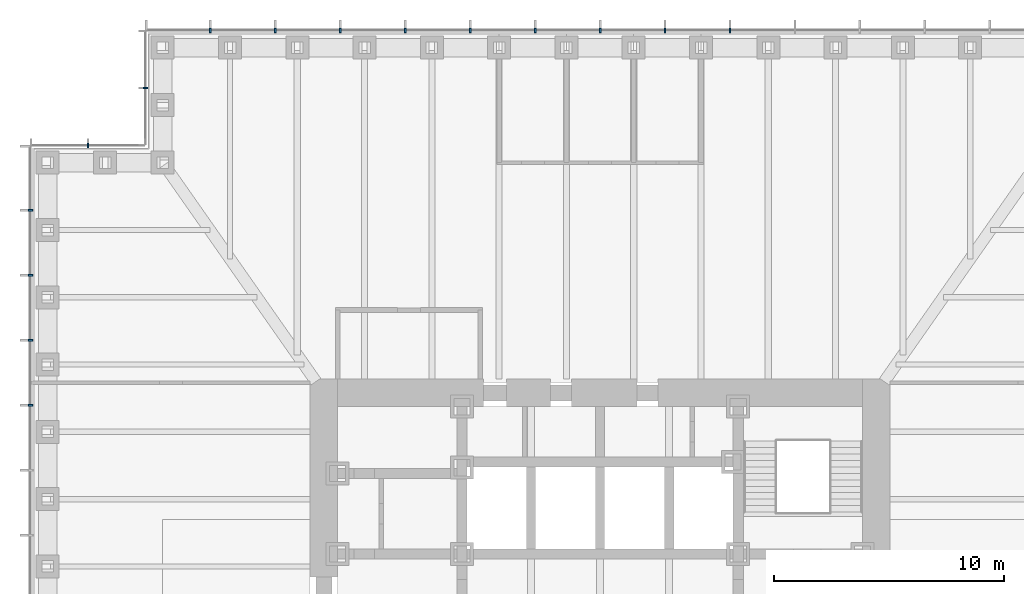
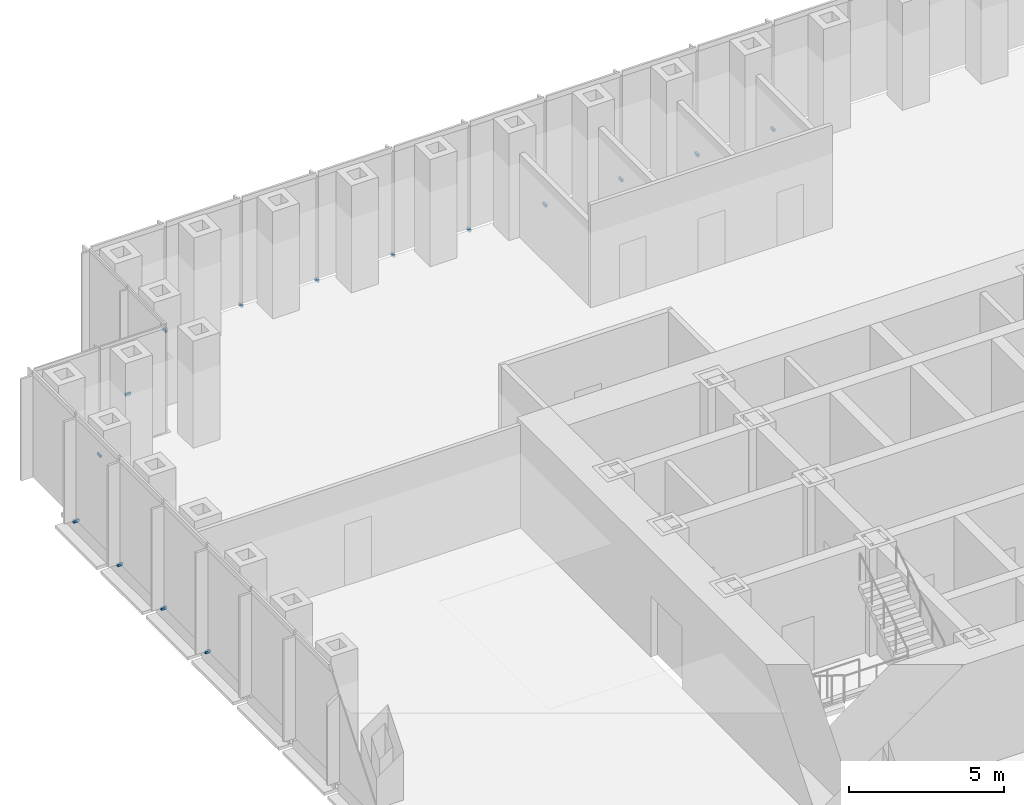
# One storey, part 14 of 16: 15 discrete accessories.
"""IFC4 building model written with IfcOpenShell, lengths in metres."""

import ifcopenshell
import ifcopenshell.guid

model = None  # the IFC model being written
_history = None  # IfcOwnerHistory: only IFC2X3 demands one
_inside = {}  # id of a spatial element -> (the spatial element, [elements in it])
_under = {}  # id of a project, library or spatial element -> (it, [spatial elements below it])
_declared = {}  # id of a project -> (the project, [libraries it declares])
_typed = {}  # id of a type object -> (the type object, [elements of that type])
_made_of = {}  # id of a material, layer set ... -> (it, [elements and type objects made of it])


def new_model(schema):
    """Start an empty IFC model of exactly this schema.

    Asked for "IFC4X3", IfcOpenShell would pick the latest addendum, in which some entities
    have other attributes; the version numbers below select the first issue.
    IFC2X3 requires an IfcOwnerHistory on every rooted entity: one is made here for all.
    """
    global model, _history
    if schema == "IFC4X3":
        model = ifcopenshell.file(schema_version=(4, 3, 0, 0))
    else:
        model = ifcopenshell.file(schema=schema)
    _inside.clear()
    _under.clear()
    _declared.clear()
    _typed.clear()
    _made_of.clear()
    _history = None
    if model.schema == "IFC2X3":
        org = make("IfcOrganization", Name="unknown")
        user = make(
            "IfcPersonAndOrganization",
            ThePerson=make("IfcPerson", FamilyName="unknown"),
            TheOrganization=org,
        )
        app = make(
            "IfcApplication",
            ApplicationDeveloper=org,
            Version="unknown",
            ApplicationFullName="unknown",
            ApplicationIdentifier="unknown",
        )
        _history = make(
            "IfcOwnerHistory",
            OwningUser=user,
            OwningApplication=app,
            ChangeAction="ADDED",
            CreationDate=0,
        )
    return model


def make(cls, **values):
    """One entity of the class cls with the attributes given. An attribute that is None is left unset."""
    return model.create_entity(
        cls, **{name: value for name, value in values.items() if value is not None}
    )


def rooted(cls, **values):
    """An entity with a GlobalId (a new one), such as an element, a storey or a relation."""
    return make(cls, GlobalId=ifcopenshell.guid.new(), OwnerHistory=_history, **values)


def si_unit(unit_type, name, prefix=None):
    """IfcSIUnit, for example si_unit("LENGTHUNIT", "METRE", prefix="MILLI")."""
    return make("IfcSIUnit", UnitType=unit_type, Prefix=prefix, Name=name)


def assignment(units):
    """IfcUnitAssignment: the units of a project."""
    return None if units is None else make("IfcUnitAssignment", Units=units)


def point(xyz):
    """IfcCartesianPoint."""
    return None if xyz is None else make("IfcCartesianPoint", Coordinates=xyz)


def direction(xyz):
    """IfcDirection."""
    return None if xyz is None else make("IfcDirection", DirectionRatios=xyz)


def frame(location, z_axis=None, x_axis=None):
    """IfcAxis2Placement3D, a coordinate frame: its origin and axes. An axis left out is left unset."""
    return make(
        "IfcAxis2Placement3D",
        Location=point(location),
        Axis=direction(z_axis),
        RefDirection=direction(x_axis),
    )


def frame_2d(location, x_axis=None):
    """IfcAxis2Placement2D, a coordinate frame in the plane: its origin and x axis."""
    return make(
        "IfcAxis2Placement2D", Location=point(location), RefDirection=direction(x_axis)
    )


def origin():
    """The frame at (0, 0, 0) with its axes left unset."""
    return frame((0.0, 0.0, 0.0))


def origin_2d():
    """The frame at (0, 0) in the plane with its x axis left unset."""
    return frame_2d((0.0, 0.0))


def place(relative_to, where):
    """IfcLocalPlacement: puts the frame where relative to a parent placement (None: the world)."""
    return make(
        "IfcLocalPlacement", PlacementRelTo=relative_to, RelativePlacement=where
    )


def context(
    kind, dimensions, precision=None, world=None, true_north=None, identifier=None
):
    """IfcGeometricRepresentationContext, for example the 3D "Model" context."""
    return make(
        "IfcGeometricRepresentationContext",
        ContextIdentifier=identifier,
        ContextType=kind,
        CoordinateSpaceDimension=dimensions,
        Precision=precision,
        WorldCoordinateSystem=world,
        TrueNorth=true_north,
    )


def subcontext(parent, identifier, kind, view, scale=None):
    """IfcGeometricRepresentationSubContext, for example "Body" below "Model"."""
    return make(
        "IfcGeometricRepresentationSubContext",
        ContextIdentifier=identifier,
        ContextType=kind,
        ParentContext=parent,
        TargetScale=scale,
        TargetView=view,
    )


def project(units=None, contexts=None):
    """IfcProject with its units and contexts."""
    return rooted(
        "IfcProject",
        Name="project",
        RepresentationContexts=contexts,
        UnitsInContext=assignment(units),
    )


def spatial(cls, under=None, at=None, **own):
    """A site, building, storey or space (cls), placed at a placement, below another one or the project."""
    s = rooted(cls, ObjectPlacement=at, **own)
    if under is not None:
        _under.setdefault(under.id(), (under, []))[1].append(s)
    return s


def profile(cls, at=None, kind="AREA", **sizes):
    """A parametric profile (cls). Its sizes go by their IFC names, for example OverallWidth=200.0."""
    return make(cls, ProfileType=kind, Position=at, **sizes)


def rectangle(**sizes):
    """IfcRectangleProfileDef."""
    return profile("IfcRectangleProfileDef", **sizes)


def extrude(swept, where, along, depth):
    """IfcExtrudedAreaSolid: the profile swept, set in the frame where, extruded along a direction by depth."""
    return make(
        "IfcExtrudedAreaSolid",
        SweptArea=swept,
        Position=where,
        ExtrudedDirection=direction(along),
        Depth=depth,
    )


def shape(context_of_items, identifier, shape_type, items):
    """IfcShapeRepresentation: the items that make up one representation, for example the "Body"."""
    return make(
        "IfcShapeRepresentation",
        ContextOfItems=context_of_items,
        RepresentationIdentifier=identifier,
        RepresentationType=shape_type,
        Items=items,
    )


def made_of(thing, what):
    """Note that an element or type object is made of a material, layer set ...; save() writes the relation."""
    if what is not None:
        _made_of.setdefault(what.id(), (what, []))[1].append(thing)
    return thing


def element(
    cls,
    number,
    at=None,
    inside=None,
    cuts=None,
    type_object=None,
    material=None,
    context=None,
    identifier="Body",
    shape_type=None,
    held_by="IfcProductDefinitionShape",
    body=None,
    shapes=None,
    **own,
):
    """One element of the class cls, such as IfcWall. Its Tag is "e" and its number.

    at: its placement. inside: the storey or other place that contains it. cuts: it is an
    opening in that element (IfcRelVoidsElement). A single representation is given by context,
    identifier, shape_type and body (its items); several are given by shapes. held_by: the class
    of the entity that holds the representations. save() writes the other relations.
    """
    e = rooted(cls, Tag="e%d" % number, ObjectPlacement=at, **own)
    if body is not None:
        shapes = [shape(context, identifier, shape_type, body)]
    if shapes is not None:
        e.Representation = make(held_by, Representations=shapes)
    if inside is not None:
        _inside.setdefault(inside.id(), (inside, []))[1].append(e)
    if cuts is not None:
        rooted(
            "IfcRelVoidsElement", RelatingBuildingElement=cuts, RelatedOpeningElement=e
        )
    if type_object is not None:
        _typed.setdefault(type_object.id(), (type_object, []))[1].append(e)
    return made_of(e, material)


def aggregate(whole, parts):
    """IfcRelAggregates: a whole, such as a stair, and the parts it consists of."""
    return rooted("IfcRelAggregates", RelatingObject=whole, RelatedObjects=parts)


def save(model, path):
    """Write the relations noted so far, then the file.

    IfcRelAggregates (storeys below a building ...), IfcRelContainedInSpatialStructure (elements
    in a storey), IfcRelDefinesByType, IfcRelAssociatesMaterial and IfcRelDeclares: one each for
    every whole, place, type object, material and project.
    """
    for whole, parts in _under.values():
        aggregate(whole, parts)
    for where, things in _inside.values():
        rooted(
            "IfcRelContainedInSpatialStructure",
            RelatedElements=things,
            RelatingStructure=where,
        )
    for kind, things in _typed.values():
        rooted("IfcRelDefinesByType", RelatedObjects=things, RelatingType=kind)
    for what, things in _made_of.values():
        rooted("IfcRelAssociatesMaterial", RelatedObjects=things, RelatingMaterial=what)
    for by, libraries in _declared.values():
        rooted("IfcRelDeclares", RelatingContext=by, RelatedDefinitions=libraries)
    model.write(path)


model = new_model("IFC4")

# Units and contexts
model_context = context("Model", 3, precision=1e-05, world=origin(), true_north=direction((0.0, 1.0)))
body_context = subcontext(model_context, "Body", "Model", "MODEL_VIEW")
ifc_project = project(units=[si_unit("LENGTHUNIT", "METRE"), si_unit("AREAUNIT", "SQUARE_METRE"), si_unit("VOLUMEUNIT", "CUBIC_METRE"), si_unit("PLANEANGLEUNIT", "RADIAN"), si_unit("MASSUNIT", "GRAM", prefix="KILO")], contexts=[model_context])

# Site, building, storey
site_placement = place(None, origin())
site = spatial("IfcSite", under=ifc_project, at=site_placement, CompositionType="ELEMENT")
building_placement = place(site_placement, origin())
building = spatial("IfcBuilding", under=site, at=building_placement, Name="Daluyong Arena Tower", CompositionType="ELEMENT")
storey_placement = place(building_placement, frame((0.0, 0.0, 47.5)))
storey = spatial("IfcBuildingStorey", under=building, at=storey_placement, Name="L09", CompositionType="ELEMENT", Elevation=47.5)

# Discrete accessories
for number, where, z_axis, x_axis, name in (
    (1, (61.642822265625, 104.75, -0.10009765625), (0.0, 0.0, 1.0), (-1.0, 0.0, 0.0), "curtain wall L09 N anchor bracket 6"),
    (2, (58.821533203125, 104.75, -0.10009765625), (0.0, 0.0, 1.0), (-1.0, 0.0, 0.0), "curtain wall L09 N anchor bracket 7"),
    (3, (56.0, 104.75, -0.10009765625), (0.0, 0.0, 1.0), (-1.0, 0.0, 0.0), "curtain wall L09 N anchor bracket 8"),
    (4, (53.178466796875, 104.75, -0.10009765625), (0.0, 0.0, 1.0), (-1.0, 0.0, 0.0), "curtain wall L09 N anchor bracket 9"),
    (5, (50.357177734375, 104.75, -0.10009765625), (0.0, 0.0, 1.0), (-1.0, 0.0, 0.0), "curtain wall L09 N anchor bracket 10"),
    (6, (47.53564453125, 104.75, -0.10009765625), (0.0, 0.0, 1.0), (-1.0, 0.0, 0.0), "curtain wall L09 N anchor bracket 11"),
    (7, (44.71435546875, 104.75, -0.10009765625), (0.0, 0.0, 1.0), (-1.0, 0.0, 0.0), "curtain wall L09 N anchor bracket 12"),
    (8, (41.892822265625, 104.75, -0.10009765625), (0.0, 0.0, 1.0), (-1.0, 0.0, 0.0), "curtain wall L09 N anchor bracket 13"),
    (9, (39.071533203125, 104.75, -0.10009765625), (0.0, 0.0, 1.0), (-1.0, 0.0, 0.0), "curtain wall L09 N anchor bracket 14"),
):
    element("IfcDiscreteAccessory", number, at=place(storey_placement, frame(where, z_axis=z_axis, x_axis=x_axis)), inside=storey, Name=name, PredefinedType="BRACKET", context=body_context, shape_type="SweptSolid", body=[
        extrude(rectangle(XDim=0.080078125, YDim=0.199951171875, at=origin_2d()), origin(), (0.0, 0.0, 1.0), 0.10009765625),
    ])
for number, where, z_axis, x_axis, name in (
    (10, (36.25, 102.25, -0.10009765625), (0.0, 0.0, 1.0), (0.0, -1.0, 0.0), "curtain wall L09 NW-W anchor bracket 2"),
    (11, (33.75, 99.75, -0.10009765625), (0.0, 0.0, 1.0), (-1.0, 0.0, 0.0), "curtain wall L09 NW-N anchor bracket 2"),
):
    element("IfcDiscreteAccessory", number, at=place(storey_placement, frame(where, z_axis=z_axis, x_axis=x_axis)), inside=storey, Name=name, PredefinedType="BRACKET", context=body_context, shape_type="SweptSolid", body=[
        extrude(rectangle(XDim=0.06005859375, YDim=0.199951171875, at=origin_2d()), origin(), (0.0, 0.0, 1.0), 0.10009765625),
    ])
for number, where, z_axis, x_axis, name in (
    (12, (31.25, 96.928466796875, -0.10009765625), (0.0, 0.0, 1.0), (0.0, -1.0, 0.0), "curtain wall L09 W anchor bracket 2"),
    (13, (31.25, 94.107177734375, -0.10009765625), (0.0, 0.0, 1.0), (0.0, -1.0, 0.0), "curtain wall L09 W anchor bracket 3"),
    (14, (31.25, 91.28564453125, -0.10009765625), (0.0, 0.0, 1.0), (0.0, -1.0, 0.0), "curtain wall L09 W anchor bracket 4"),
    (15, (31.25, 88.46435546875, -0.10009765625), (0.0, 0.0, 1.0), (0.0, -1.0, 0.0), "curtain wall L09 W anchor bracket 5"),
):
    element("IfcDiscreteAccessory", number, at=place(storey_placement, frame(where, z_axis=z_axis, x_axis=x_axis)), inside=storey, Name=name, PredefinedType="BRACKET", context=body_context, shape_type="SweptSolid", body=[
        extrude(rectangle(XDim=0.080078125, YDim=0.199951171875, at=origin_2d()), origin(), (0.0, 0.0, 1.0), 0.10009765625),
    ])

save(model, "model.ifc")
